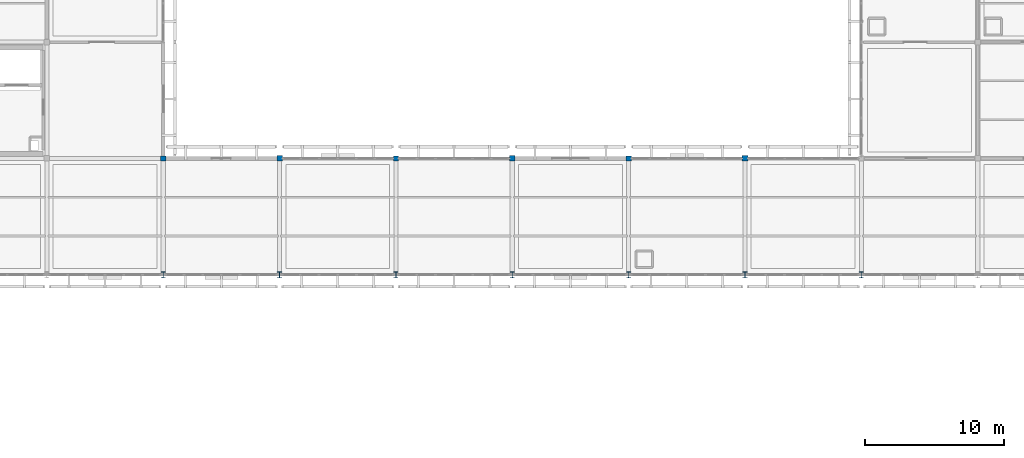
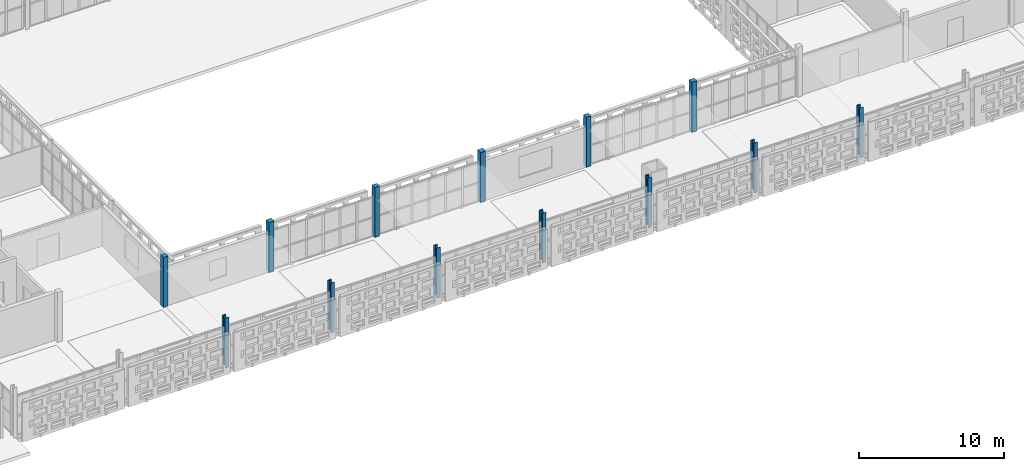
# One storey, part 7 of 166: 13 columns.
"""IFC4 building model written with IfcOpenShell, lengths in metres."""

from ifc_helpers import new_model, si_unit, direction, frame, origin, origin_2d, place, context, subcontext, project, spatial, rectangle, i_section, extrude, material, material_profile, profile_set, type_object, element, save


model = new_model("IFC4")

# Units and contexts
model_context = context("Model", 3, precision=1e-05, world=origin(), true_north=direction((0.0, 1.0)))
body_context = subcontext(model_context, "Body", "Model", "MODEL_VIEW")
ifc_project = project(units=[si_unit("LENGTHUNIT", "METRE"), si_unit("AREAUNIT", "SQUARE_METRE"), si_unit("VOLUMEUNIT", "CUBIC_METRE"), si_unit("PLANEANGLEUNIT", "RADIAN"), si_unit("MASSUNIT", "GRAM", prefix="KILO")], contexts=[model_context])

# Site, building, storey
site_placement = place(None, origin())
site = spatial("IfcSite", under=ifc_project, at=site_placement, CompositionType="ELEMENT")
building_placement = place(site_placement, origin())
building = spatial("IfcBuilding", under=site, at=building_placement, Name="Varnapada Polytechnic", CompositionType="ELEMENT")
storey_placement = place(building_placement, frame((0.0, 0.0, 9.60009765625)))
storey = spatial("IfcBuildingStorey", under=building, at=storey_placement, Name="L02", CompositionType="ELEMENT", Elevation=9.60009765625)

# Columns
ifc_material_1 = material(Name="Steel S355", Category="steel")
ifc_material_profile_1 = material_profile(ifc_material_1, i_section(OverallWidth=0.300048828125, OverallDepth=0.449951171875, WebThickness=0.013916015625, FlangeThickness=0.02587890625, FilletRadius=0.027099609375, at=origin_2d()), Name="HEB 450")
ifc_profile_set_1 = profile_set([ifc_material_profile_1], Name="Steel S355")
column_type_1 = type_object("IfcColumnType", Name="Column C-07 (HEB 450)", PredefinedType="COLUMN", material=ifc_profile_set_1)
for number, where, z_axis, x_axis, name in (
    (1, (67.199951171875, 84.0, 0.0), (0.0, 0.0, 1.0), (1.0, 0.0, 0.0), "L02 column 9/11"),
    (2, (75.60009765625, 84.0, 0.0), (0.0, 0.0, 1.0), (1.0, 0.0, 0.0), "L02 column 10/11"),
    (3, (84.0, 84.0, 0.0), (0.0, 0.0, 1.0), (1.0, 0.0, 0.0), "L02 column 11/11"),
    (4, (92.39990234375, 84.0, 0.0), (0.0, 0.0, 1.0), (1.0, 0.0, 0.0), "L02 column 12/11"),
    (5, (100.800048828125, 84.0, 0.0), (0.0, 0.0, 1.0), (1.0, 0.0, 0.0), "L02 column 13/11"),
    (6, (109.199951171875, 84.0, 0.0), (0.0, 0.0, 1.0), (1.0, 0.0, 0.0), "L02 column 14/11"),
    (7, (117.60009765625, 84.0, 0.0), (0.0, 0.0, 1.0), (1.0, 0.0, 0.0), "L02 column 15/11"),
):
    element("IfcColumn", number, at=place(storey_placement, frame(where, z_axis=z_axis, x_axis=x_axis)), inside=storey, type_object=column_type_1, Name=name, PredefinedType="COLUMN", context=body_context, shape_type="SweptSolid", body=[
        extrude(i_section(OverallWidth=0.300048828125, OverallDepth=0.449951171875, WebThickness=0.013916015625, FlangeThickness=0.02587890625, FilletRadius=0.027099609375, at=origin_2d()), origin(), (0.0, 0.0, 1.0), 4.199951171875),
    ])
ifc_material_2 = material(Name="Glulam GL32h", Category="wood")
ifc_material_profile_2 = material_profile(ifc_material_2, rectangle(XDim=0.39990234375, YDim=0.39990234375, at=origin_2d()), Name="GL 400x400")
ifc_profile_set_2 = profile_set([ifc_material_profile_2], Name="Glulam GL32h")
column_type_2 = type_object("IfcColumnType", Name="Column C-13 (GL 400x400)", PredefinedType="COLUMN", material=ifc_profile_set_2)
for number, where, z_axis, x_axis, name in (
    (8, (75.60009765625, 92.39990234375, 0.0), (0.0, 0.0, 1.0), (1.0, 0.0, 0.0), "L02 column 10/12"),
    (9, (92.39990234375, 92.39990234375, 0.0), (0.0, 0.0, 1.0), (1.0, 0.0, 0.0), "L02 column 12/12"),
    (10, (109.199951171875, 92.39990234375, 0.0), (0.0, 0.0, 1.0), (1.0, 0.0, 0.0), "L02 column 14/12"),
):
    element("IfcColumn", number, at=place(storey_placement, frame(where, z_axis=z_axis, x_axis=x_axis)), inside=storey, type_object=column_type_2, Name=name, PredefinedType="COLUMN", context=body_context, shape_type="SweptSolid", body=[
        extrude(rectangle(XDim=0.39990234375, YDim=0.39990234375, at=origin_2d()), origin(), (0.0, 0.0, 1.0), 4.199951171875),
    ])
ifc_material_profile_3 = material_profile(ifc_material_2, rectangle(XDim=0.3798828125, YDim=0.3798828125, at=origin_2d()), Name="GL 380x380")
ifc_profile_set_3 = profile_set([ifc_material_profile_3], Name="Glulam GL32h")
column_type_3 = type_object("IfcColumnType", Name="Column C-24 (GL 380x380)", PredefinedType="COLUMN", material=ifc_profile_set_3)
for number, where, z_axis, x_axis, name in (
    (11, (67.199951171875, 92.39990234375, 0.0), (0.0, 0.0, 1.0), (1.0, 0.0, 0.0), "L02 column 9/12"),
    (12, (84.0, 92.39990234375, 0.0), (0.0, 0.0, 1.0), (1.0, 0.0, 0.0), "L02 column 11/12"),
    (13, (100.800048828125, 92.39990234375, 0.0), (0.0, 0.0, 1.0), (1.0, 0.0, 0.0), "L02 column 13/12"),
):
    element("IfcColumn", number, at=place(storey_placement, frame(where, z_axis=z_axis, x_axis=x_axis)), inside=storey, type_object=column_type_3, Name=name, PredefinedType="COLUMN", context=body_context, shape_type="SweptSolid", body=[
        extrude(rectangle(XDim=0.3798828125, YDim=0.3798828125, at=origin_2d()), origin(), (0.0, 0.0, 1.0), 4.199951171875),
    ])

save(model, "model.ifc")
